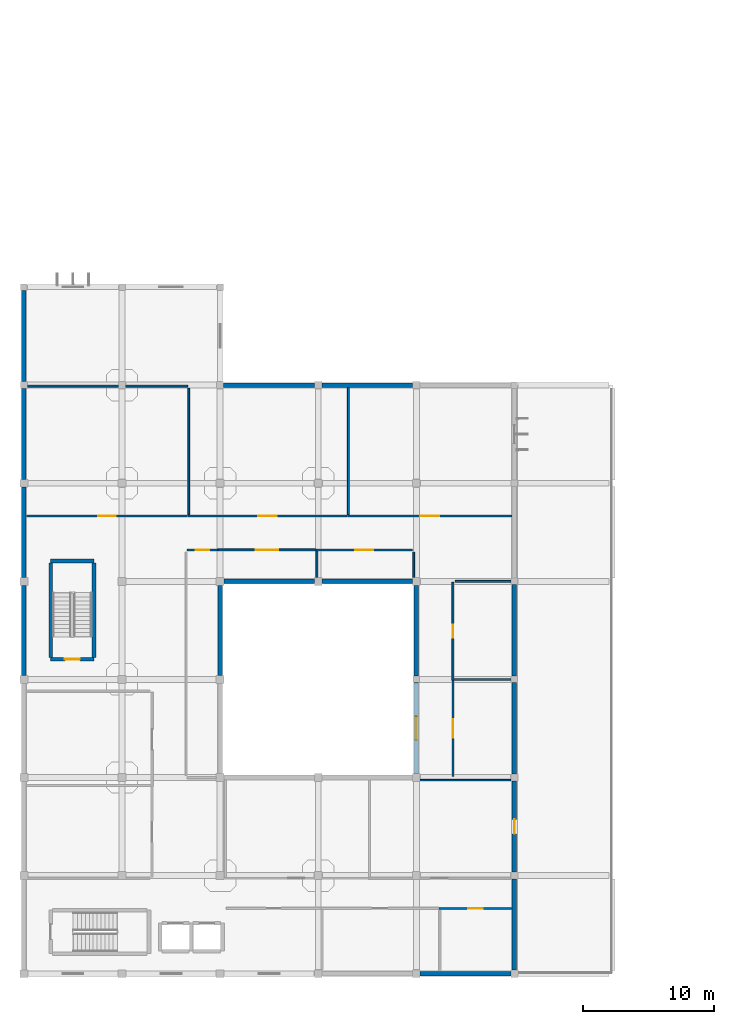
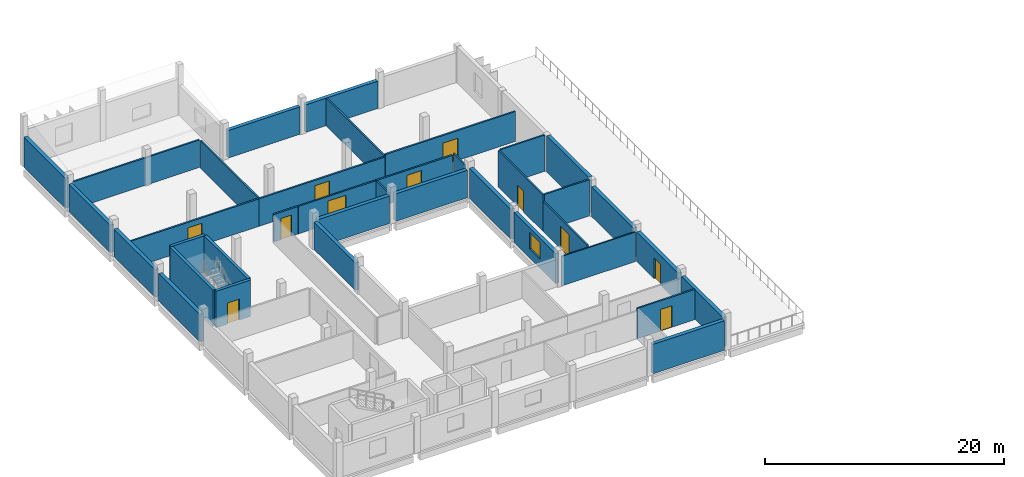
# One storey, part 6 of 21: 37 walls, 11 doors, 1 window, 12 openings.
"""IFC4 building model written with IfcOpenShell, lengths in metres."""

import ifcopenshell
import ifcopenshell.guid

model = None  # the IFC model being written
_history = None  # IfcOwnerHistory: only IFC2X3 demands one
_inside = {}  # id of a spatial element -> (the spatial element, [elements in it])
_under = {}  # id of a project, library or spatial element -> (it, [spatial elements below it])
_declared = {}  # id of a project -> (the project, [libraries it declares])
_typed = {}  # id of a type object -> (the type object, [elements of that type])
_made_of = {}  # id of a material, layer set ... -> (it, [elements and type objects made of it])


def new_model(schema):
    """Start an empty IFC model of exactly this schema.

    Asked for "IFC4X3", IfcOpenShell would pick the latest addendum, in which some entities
    have other attributes; the version numbers below select the first issue.
    IFC2X3 requires an IfcOwnerHistory on every rooted entity: one is made here for all.
    """
    global model, _history
    if schema == "IFC4X3":
        model = ifcopenshell.file(schema_version=(4, 3, 0, 0))
    else:
        model = ifcopenshell.file(schema=schema)
    _inside.clear()
    _under.clear()
    _declared.clear()
    _typed.clear()
    _made_of.clear()
    _history = None
    if model.schema == "IFC2X3":
        org = make("IfcOrganization", Name="unknown")
        user = make(
            "IfcPersonAndOrganization",
            ThePerson=make("IfcPerson", FamilyName="unknown"),
            TheOrganization=org,
        )
        app = make(
            "IfcApplication",
            ApplicationDeveloper=org,
            Version="unknown",
            ApplicationFullName="unknown",
            ApplicationIdentifier="unknown",
        )
        _history = make(
            "IfcOwnerHistory",
            OwningUser=user,
            OwningApplication=app,
            ChangeAction="ADDED",
            CreationDate=0,
        )
    return model


def make(cls, **values):
    """One entity of the class cls with the attributes given. An attribute that is None is left unset."""
    return model.create_entity(
        cls, **{name: value for name, value in values.items() if value is not None}
    )


def rooted(cls, **values):
    """An entity with a GlobalId (a new one), such as an element, a storey or a relation."""
    return make(cls, GlobalId=ifcopenshell.guid.new(), OwnerHistory=_history, **values)


def si_unit(unit_type, name, prefix=None):
    """IfcSIUnit, for example si_unit("LENGTHUNIT", "METRE", prefix="MILLI")."""
    return make("IfcSIUnit", UnitType=unit_type, Prefix=prefix, Name=name)


def assignment(units):
    """IfcUnitAssignment: the units of a project."""
    return None if units is None else make("IfcUnitAssignment", Units=units)


def point(xyz):
    """IfcCartesianPoint."""
    return None if xyz is None else make("IfcCartesianPoint", Coordinates=xyz)


def direction(xyz):
    """IfcDirection."""
    return None if xyz is None else make("IfcDirection", DirectionRatios=xyz)


def frame(location, z_axis=None, x_axis=None):
    """IfcAxis2Placement3D, a coordinate frame: its origin and axes. An axis left out is left unset."""
    return make(
        "IfcAxis2Placement3D",
        Location=point(location),
        Axis=direction(z_axis),
        RefDirection=direction(x_axis),
    )


def frame_2d(location, x_axis=None):
    """IfcAxis2Placement2D, a coordinate frame in the plane: its origin and x axis."""
    return make(
        "IfcAxis2Placement2D", Location=point(location), RefDirection=direction(x_axis)
    )


def origin():
    """The frame at (0, 0, 0) with its axes left unset."""
    return frame((0.0, 0.0, 0.0))


def place(relative_to, where):
    """IfcLocalPlacement: puts the frame where relative to a parent placement (None: the world)."""
    return make(
        "IfcLocalPlacement", PlacementRelTo=relative_to, RelativePlacement=where
    )


def context(
    kind, dimensions, precision=None, world=None, true_north=None, identifier=None
):
    """IfcGeometricRepresentationContext, for example the 3D "Model" context."""
    return make(
        "IfcGeometricRepresentationContext",
        ContextIdentifier=identifier,
        ContextType=kind,
        CoordinateSpaceDimension=dimensions,
        Precision=precision,
        WorldCoordinateSystem=world,
        TrueNorth=true_north,
    )


def subcontext(parent, identifier, kind, view, scale=None):
    """IfcGeometricRepresentationSubContext, for example "Body" below "Model"."""
    return make(
        "IfcGeometricRepresentationSubContext",
        ContextIdentifier=identifier,
        ContextType=kind,
        ParentContext=parent,
        TargetScale=scale,
        TargetView=view,
    )


def project(units=None, contexts=None):
    """IfcProject with its units and contexts."""
    return rooted(
        "IfcProject",
        Name="project",
        RepresentationContexts=contexts,
        UnitsInContext=assignment(units),
    )


def spatial(cls, under=None, at=None, **own):
    """A site, building, storey or space (cls), placed at a placement, below another one or the project."""
    s = rooted(cls, ObjectPlacement=at, **own)
    if under is not None:
        _under.setdefault(under.id(), (under, []))[1].append(s)
    return s


def profile(cls, at=None, kind="AREA", **sizes):
    """A parametric profile (cls). Its sizes go by their IFC names, for example OverallWidth=200.0."""
    return make(cls, ProfileType=kind, Position=at, **sizes)


def rectangle(**sizes):
    """IfcRectangleProfileDef."""
    return profile("IfcRectangleProfileDef", **sizes)


def extrude(swept, where, along, depth):
    """IfcExtrudedAreaSolid: the profile swept, set in the frame where, extruded along a direction by depth."""
    return make(
        "IfcExtrudedAreaSolid",
        SweptArea=swept,
        Position=where,
        ExtrudedDirection=direction(along),
        Depth=depth,
    )


def shape(context_of_items, identifier, shape_type, items):
    """IfcShapeRepresentation: the items that make up one representation, for example the "Body"."""
    return make(
        "IfcShapeRepresentation",
        ContextOfItems=context_of_items,
        RepresentationIdentifier=identifier,
        RepresentationType=shape_type,
        Items=items,
    )


def material(Name=None, Category=None):
    """IfcMaterial."""
    return make("IfcMaterial", Name=Name, Category=Category)


def layer(
    of_material, thickness, ventilated=None, Name=None, Category=None, Priority=None
):
    """IfcMaterialLayer: one layer of a wall or slab, of a material (None: an air gap)."""
    return make(
        "IfcMaterialLayer",
        Material=of_material,
        LayerThickness=thickness,
        IsVentilated=ventilated,
        Name=Name,
        Category=Category,
        Priority=Priority,
    )


def layer_set(layers, Name=None):
    """IfcMaterialLayerSet."""
    return make("IfcMaterialLayerSet", MaterialLayers=layers, LayerSetName=Name)


def made_of(thing, what):
    """Note that an element or type object is made of a material, layer set ...; save() writes the relation."""
    if what is not None:
        _made_of.setdefault(what.id(), (what, []))[1].append(thing)
    return thing


def type_object(cls, material=None, **own):
    """A type object (cls), such as IfcWallType, which elements share."""
    return made_of(rooted(cls, **own), material)


def element(
    cls,
    number,
    at=None,
    inside=None,
    cuts=None,
    type_object=None,
    material=None,
    context=None,
    identifier="Body",
    shape_type=None,
    held_by="IfcProductDefinitionShape",
    body=None,
    shapes=None,
    **own,
):
    """One element of the class cls, such as IfcWall. Its Tag is "e" and its number.

    at: its placement. inside: the storey or other place that contains it. cuts: it is an
    opening in that element (IfcRelVoidsElement). A single representation is given by context,
    identifier, shape_type and body (its items); several are given by shapes. held_by: the class
    of the entity that holds the representations. save() writes the other relations.
    """
    e = rooted(cls, Tag="e%d" % number, ObjectPlacement=at, **own)
    if body is not None:
        shapes = [shape(context, identifier, shape_type, body)]
    if shapes is not None:
        e.Representation = make(held_by, Representations=shapes)
    if inside is not None:
        _inside.setdefault(inside.id(), (inside, []))[1].append(e)
    if cuts is not None:
        rooted(
            "IfcRelVoidsElement", RelatingBuildingElement=cuts, RelatedOpeningElement=e
        )
    if type_object is not None:
        _typed.setdefault(type_object.id(), (type_object, []))[1].append(e)
    return made_of(e, material)


def fill(opening, filler):
    """IfcRelFillsElement: the door or window that sits in an opening."""
    return rooted(
        "IfcRelFillsElement",
        RelatingOpeningElement=opening,
        RelatedBuildingElement=filler,
    )


def aggregate(whole, parts):
    """IfcRelAggregates: a whole, such as a stair, and the parts it consists of."""
    return rooted("IfcRelAggregates", RelatingObject=whole, RelatedObjects=parts)


def save(model, path):
    """Write the relations noted so far, then the file.

    IfcRelAggregates (storeys below a building ...), IfcRelContainedInSpatialStructure (elements
    in a storey), IfcRelDefinesByType, IfcRelAssociatesMaterial and IfcRelDeclares: one each for
    every whole, place, type object, material and project.
    """
    for whole, parts in _under.values():
        aggregate(whole, parts)
    for where, things in _inside.values():
        rooted(
            "IfcRelContainedInSpatialStructure",
            RelatedElements=things,
            RelatingStructure=where,
        )
    for kind, things in _typed.values():
        rooted("IfcRelDefinesByType", RelatedObjects=things, RelatingType=kind)
    for what, things in _made_of.values():
        rooted("IfcRelAssociatesMaterial", RelatedObjects=things, RelatingMaterial=what)
    for by, libraries in _declared.values():
        rooted("IfcRelDeclares", RelatingContext=by, RelatedDefinitions=libraries)
    model.write(path)


model = new_model("IFC4")

# Units and contexts
model_context = context("Model", 3, precision=1e-05, world=origin(), true_north=direction((0.0, 1.0)))
body_context = subcontext(model_context, "Body", "Model", "MODEL_VIEW")
ifc_project = project(units=[si_unit("LENGTHUNIT", "METRE"), si_unit("AREAUNIT", "SQUARE_METRE"), si_unit("VOLUMEUNIT", "CUBIC_METRE"), si_unit("PLANEANGLEUNIT", "RADIAN"), si_unit("MASSUNIT", "GRAM", prefix="KILO")], contexts=[model_context])

# Site, building, storey
site_placement = place(None, origin())
site = spatial("IfcSite", under=ifc_project, at=site_placement, CompositionType="ELEMENT")
building_placement = place(site_placement, origin())
building = spatial("IfcBuilding", under=site, at=building_placement, Name="Mawjan Specialist Oncology Clinic", CompositionType="ELEMENT")
storey_placement = place(building_placement, frame((0.0, 0.0, 13.5)))
storey = spatial("IfcBuildingStorey", under=building, at=storey_placement, Name="L03", CompositionType="ELEMENT", Elevation=13.5)

# Walls
ifc_material_1 = material(Name="Precast concrete C40/50", Category="concrete")
ifc_layer_1 = layer(ifc_material_1, 0.35009765625, Name="Precast concrete C40/50", Category="concrete")
ifc_layer_set_1 = layer_set([ifc_layer_1], Name="Precast concrete C40/50")
wall_type_1 = type_object("IfcWallType", Name="EW-350", PredefinedType="SOLIDWALL", material=ifc_layer_set_1)
for number, where, z_axis, x_axis, name in (
    (1, (15.27490234375, 45.800048828125, 0.0), (0.0, 0.0, 1.0), (1.0, 0.0, 0.0), "L03 Coral-Limestone Exterior Wall EW-L03-270"),
    (2, (22.77490234375, 45.800048828125, 0.0), (0.0, 0.0, 1.0), (1.0, 0.0, 0.0), "L03 Coral-Limestone Exterior Wall EW-L03-271"),
):
    element("IfcWall", number, at=place(storey_placement, frame(where, z_axis=z_axis, x_axis=x_axis)), inside=storey, type_object=wall_type_1, Name=name, PredefinedType="SOLIDWALL", context=body_context, shape_type="SweptSolid", body=[
        extrude(rectangle(XDim=6.9501953125, YDim=0.35009765625, at=frame_2d((3.47509765625, 0.0))), origin(), (0.0, 0.0, 1.0), 2.804931640625),
    ])
wall_1_placement = place(storey_placement, frame((37.5, 30.550048828125, 0.0), z_axis=(0.0, 0.0, 1.0), x_axis=(0.0, -1.0, 0.0)))
element("IfcWall", 3, at=wall_1_placement, inside=storey, type_object=wall_type_1, Name="L03 Coral-Limestone Exterior Wall EW-L03-275", PredefinedType="SOLIDWALL", context=body_context, shape_type="SweptSolid", body=[
    extrude(rectangle(XDim=7.0, YDim=0.35009765625, at=frame_2d((3.5, 0.0))), origin(), (0.0, 0.0, 1.0), 3.699951171875),
])
wall_2_placement = place(storey_placement, frame((37.5, 23.050048828125, 0.0), z_axis=(0.0, 0.0, 1.0), x_axis=(0.0, -1.0, 0.0)))
element("IfcWall", 4, at=wall_2_placement, inside=storey, type_object=wall_type_1, Name="L03 Coral-Limestone Exterior Wall EW-L03-276", PredefinedType="SOLIDWALL", context=body_context, shape_type="SweptSolid", body=[
    extrude(rectangle(XDim=6.97509765625, YDim=0.35009765625, at=frame_2d((3.487548828125, 0.0))), origin(), (0.0, 0.0, 1.0), 3.054931640625),
])

# Wall, opening, door
wall_3_placement = place(storey_placement, frame((37.5, 15.52490234375, 0.0), z_axis=(0.0, 0.0, 1.0), x_axis=(0.0, -1.0, 0.0)))
wall_3 = element("IfcWall", 5, at=wall_3_placement, inside=storey, type_object=wall_type_1, Name="L03 Coral-Limestone Exterior Wall EW-L03-277", PredefinedType="SOLIDWALL", context=body_context, shape_type="SweptSolid", body=[
    extrude(rectangle(XDim=6.949951171875, YDim=0.35009765625, at=frame_2d((3.47509765625, 0.0))), origin(), (0.0, 0.0, 1.0), 3.0048828125),
])
opening_1_placement = place(wall_3_placement, frame((2.925048828125, 0.0, 0.0)))
opening_1 = element("IfcOpeningElement", 6, at=opening_1_placement, cuts=wall_3, Name="Opening DT-110", PredefinedType="OPENING", context=body_context, shape_type="SweptSolid", body=[
    extrude(rectangle(XDim=1.10009765625, YDim=2.14990234375, at=frame_2d((0.550048828125, 1.074951171875))), frame((0.0, 0.18701171875, 0.0), z_axis=(0.0, -1.0, 0.0), x_axis=(1.0, 0.0, 0.0)), (0.0, 0.0, 1.0), 0.3740234375),
])
ifc_material_2 = material(Name="Insulated marine-grade aluminium entrance assembly", Category="aluminium")
door_type_1 = type_object("IfcDoorType", Name="DT-110", OperationType="NOTDEFINED", PredefinedType="DOOR", material=ifc_material_2)
door_1_placement = place(opening_1_placement, origin())
door_1 = element("IfcDoor", 7, at=door_1_placement, inside=storey, type_object=door_type_1, Name="L03 Healing Terrace Access Door 3", OperationType="SINGLE_SWING_RIGHT", OverallHeight=2.14990234375, OverallWidth=1.10009765625, PredefinedType="DOOR", context=body_context, shape_type="SweptSolid", body=[
    extrude(rectangle(XDim=1.10009765625, YDim=2.14990234375, at=frame_2d((0.550048828125, 1.074951171875))), frame((0.0, 0.02490234375, 0.0), z_axis=(0.0, -1.0, 0.0), x_axis=(1.0, 0.0, 0.0)), (0.0, 0.0, 1.0), 0.050048828125),
])
fill(opening_1, door_1)

# Walls
wall_4_placement = place(storey_placement, frame((37.5, 8.02490234375, 0.0), z_axis=(0.0, 0.0, 1.0), x_axis=(0.0, -1.0, 0.0)))
element("IfcWall", 8, at=wall_4_placement, inside=storey, type_object=wall_type_1, Name="L03 Coral-Limestone Exterior Wall EW-L03-278", PredefinedType="SOLIDWALL", context=body_context, shape_type="SweptSolid", body=[
    extrude(rectangle(XDim=6.949951171875, YDim=0.35009765625, at=frame_2d((3.47509765625, 0.0))), origin(), (0.0, 0.0, 1.0), 3.0048828125),
])
wall_5_placement = place(storey_placement, frame((37.22509765625, 0.800048828125, 0.0), z_axis=(0.0, 0.0, 1.0), x_axis=(-1.0, 0.0, 0.0)))
element("IfcWall", 9, at=wall_5_placement, inside=storey, type_object=wall_type_1, Name="L03 Coral-Limestone Exterior Wall EW-L03-279", PredefinedType="SOLIDWALL", context=body_context, shape_type="SweptSolid", body=[
    extrude(rectangle(XDim=6.925048828125, YDim=0.35009765625, at=frame_2d((3.46240234375, 0.0))), origin(), (0.0, 0.0, 1.0), 3.0048828125),
])
for number, where, z_axis, x_axis, name in (
    (10, (0.0, 23.60009765625, 0.0), (0.0, 0.0, 1.0), (0.0, 1.0, 0.0), "L03 Coral-Limestone Exterior Wall EW-L03-287"),
    (11, (0.0, 31.10009765625, 0.0), (0.0, 0.0, 1.0), (0.0, 1.0, 0.0), "L03 Coral-Limestone Exterior Wall EW-L03-288"),
):
    element("IfcWall", number, at=place(storey_placement, frame(where, z_axis=z_axis, x_axis=x_axis)), inside=storey, type_object=wall_type_1, Name=name, PredefinedType="SOLIDWALL", context=body_context, shape_type="SweptSolid", body=[
        extrude(rectangle(XDim=6.89990234375, YDim=0.35009765625, at=frame_2d((3.449951171875, 0.0))), origin(), (0.0, 0.0, 1.0), 2.804931640625),
    ])
wall_6_placement = place(storey_placement, frame((0.0, 38.60009765625, 0.0), z_axis=(0.0, 0.0, 1.0), x_axis=(0.0, 1.0, 0.0)))
element("IfcWall", 12, at=wall_6_placement, inside=storey, type_object=wall_type_1, Name="L03 Coral-Limestone Exterior Wall EW-L03-289", PredefinedType="SOLIDWALL", context=body_context, shape_type="SweptSolid", body=[
    extrude(rectangle(XDim=6.9248046875, YDim=0.35009765625, at=frame_2d((3.46240234375, 0.0))), origin(), (0.0, 0.0, 1.0), 2.804931640625),
])
wall_7_placement = place(storey_placement, frame((0.0, 46.074951171875, 0.0), z_axis=(0.0, 0.0, 1.0), x_axis=(0.0, 1.0, 0.0)))
element("IfcWall", 13, at=wall_7_placement, inside=storey, type_object=wall_type_1, Name="L03 Coral-Limestone Exterior Wall EW-L03-290", PredefinedType="SOLIDWALL", context=body_context, shape_type="SweptSolid", body=[
    extrude(rectangle(XDim=6.97509765625, YDim=0.35009765625, at=frame_2d((3.487548828125, 0.0))), origin(), (0.0, 0.0, 1.0), 3.054931640625),
])

# Wall, opening, window
wall_8_placement = place(storey_placement, frame((30.0, 16.10009765625, 0.0), z_axis=(0.0, 0.0, 1.0), x_axis=(0.0, 1.0, 0.0)))
wall_8 = element("IfcWall", 14, at=wall_8_placement, inside=storey, type_object=wall_type_1, Name="L03 Coral-Limestone Exterior Wall EW-L03-296", PredefinedType="SOLIDWALL", context=body_context, shape_type="SweptSolid", body=[
    extrude(rectangle(XDim=6.949951171875, YDim=0.35009765625, at=frame_2d((3.47509765625, 0.0))), origin(), (0.0, 0.0, 1.0), 3.054931640625),
])
opening_2_placement = place(wall_8_placement, frame((2.574951171875, 0.0, 0.89990234375)))
opening_2 = element("IfcOpeningElement", 15, at=opening_2_placement, cuts=wall_8, Name="Opening WN-23", PredefinedType="OPENING", context=body_context, shape_type="SweptSolid", body=[
    extrude(rectangle(XDim=1.800048828125, YDim=1.699951171875, at=frame_2d((0.89990234375, 0.85009765625))), frame((0.0, 0.18701171875, 0.0), z_axis=(0.0, -1.0, 0.0), x_axis=(1.0, 0.0, 0.0)), (0.0, 0.0, 1.0), 0.3740234375),
])
ifc_material_3 = material(Name="Thermally broken low-E clinical aluminium window", Category="aluminium")
window_type = type_object("IfcWindowType", Name="WN-23", PartitioningType="DOUBLE_PANEL_VERTICAL", PredefinedType="WINDOW", material=ifc_material_3)
window_placement = place(opening_2_placement, origin())
window = element("IfcWindow", 16, at=window_placement, inside=storey, type_object=window_type, Name="L03 Clinical Low-E Window 059", OverallHeight=1.699951171875, OverallWidth=1.800048828125, PartitioningType="DOUBLE_PANEL_VERTICAL", PredefinedType="WINDOW", context=body_context, shape_type="SweptSolid", body=[
    extrude(rectangle(XDim=1.800048828125, YDim=1.699951171875, at=frame_2d((0.89990234375, 0.85009765625))), frame((0.0, 0.030029296875, 0.0), z_axis=(0.0, -1.0, 0.0), x_axis=(1.0, 0.0, 0.0)), (0.0, 0.0, 1.0), 0.06005859375),
])
fill(opening_2, window)

# Walls
wall_9_placement = place(storey_placement, frame((30.0, 23.550048828125, 0.0), z_axis=(0.0, 0.0, 1.0), x_axis=(0.0, 1.0, 0.0)))
element("IfcWall", 17, at=wall_9_placement, inside=storey, type_object=wall_type_1, Name="L03 Coral-Limestone Exterior Wall EW-L03-297", PredefinedType="SOLIDWALL", context=body_context, shape_type="SweptSolid", body=[
    extrude(rectangle(XDim=6.949951171875, YDim=0.35009765625, at=frame_2d((3.47509765625, 0.0))), origin(), (0.0, 0.0, 1.0), 3.054931640625),
])
for number, where, z_axis, x_axis, name in (
    (18, (29.699951171875, 30.800048828125, 0.0), (0.0, 0.0, 1.0), (-1.0, 0.0, 0.0), "L03 Coral-Limestone Exterior Wall EW-L03-298"),
    (19, (22.199951171875, 30.800048828125, 0.0), (0.0, 0.0, 1.0), (-1.0, 0.0, 0.0), "L03 Coral-Limestone Exterior Wall EW-L03-299"),
    (20, (15.0, 30.5, 0.0), (0.0, 0.0, 1.0), (0.0, -1.0, 0.0), "L03 Coral-Limestone Exterior Wall EW-L03-300"),
):
    element("IfcWall", number, at=place(storey_placement, frame(where, z_axis=z_axis, x_axis=x_axis)), inside=storey, type_object=wall_type_1, Name=name, PredefinedType="SOLIDWALL", context=body_context, shape_type="SweptSolid", body=[
        extrude(rectangle(XDim=6.89990234375, YDim=0.35009765625, at=frame_2d((3.449951171875, 0.0))), origin(), (0.0, 0.0, 1.0), 2.804931640625),
    ])
ifc_material_4 = material(Name="Concrete C45/55", Category="concrete")
ifc_layer_2 = layer(ifc_material_4, 0.280029296875, Name="Concrete C45/55", Category="concrete")
ifc_layer_set_2 = layer_set([ifc_layer_2], Name="Concrete C45/55")
wall_type_2 = type_object("IfcWallType", Name="SW-300", PredefinedType="SHEAR", material=ifc_layer_set_2)
wall_10_placement = place(storey_placement, frame((5.360107421875, 24.985107421875, 0.0), z_axis=(0.0, 0.0, 1.0), x_axis=(0.0, 1.0, 0.0)))
element("IfcWall", 21, at=wall_10_placement, inside=storey, type_object=wall_type_2, Name="L03 Core K2 Stair Shear Wall 1", PredefinedType="SHEAR", context=body_context, shape_type="SweptSolid", body=[
    extrude(rectangle(XDim=7.22998046875, YDim=0.280029296875, at=frame_2d((3.614990234375, 0.0))), origin(), (0.0, 0.0, 1.0), 3.719970703125),
])
wall_11_placement = place(storey_placement, frame((5.360107421875, 32.360107421875, 0.0), z_axis=(0.0, 0.0, 1.0), x_axis=(-1.0, 0.0, 0.0)))
element("IfcWall", 22, at=wall_11_placement, inside=storey, type_object=wall_type_2, Name="L03 Core K2 Stair Shear Wall 2", PredefinedType="SHEAR", context=body_context, shape_type="SweptSolid", body=[
    extrude(rectangle(XDim=3.320068359375, YDim=0.280029296875, at=frame_2d((1.66015625, 0.0))), origin(), (0.0, 0.0, 1.0), 3.719970703125),
])
wall_12_placement = place(storey_placement, frame((2.0400390625, 32.215087890625, 0.0), z_axis=(0.0, 0.0, 1.0), x_axis=(0.0, -1.0, 0.0)))
element("IfcWall", 23, at=wall_12_placement, inside=storey, type_object=wall_type_2, Name="L03 Core K2 Stair Shear Wall 3", PredefinedType="SHEAR", context=body_context, shape_type="SweptSolid", body=[
    extrude(rectangle(XDim=7.22998046875, YDim=0.280029296875, at=frame_2d((3.614990234375, 0.0))), origin(), (0.0, 0.0, 1.0), 3.719970703125),
])

# Wall, opening, door
wall_13_placement = place(storey_placement, frame((2.0400390625, 24.840087890625, 0.0), z_axis=(0.0, 0.0, 1.0), x_axis=(1.0, 0.0, 0.0)))
wall_13 = element("IfcWall", 24, at=wall_13_placement, inside=storey, type_object=wall_type_2, Name="L03 Core K2 Stair Shear Wall 4", PredefinedType="SHEAR", context=body_context, shape_type="SweptSolid", body=[
    extrude(rectangle(XDim=3.320068359375, YDim=0.280029296875, at=frame_2d((1.66015625, 0.0))), origin(), (0.0, 0.0, 1.0), 3.719970703125),
])
opening_3_placement = place(wall_13_placement, frame((1.0849609375, 0.0, 0.0)))
opening_3 = element("IfcOpeningElement", 25, at=opening_3_placement, cuts=wall_13, Name="Opening FD-90", PredefinedType="OPENING", context=body_context, shape_type="SweptSolid", body=[
    extrude(rectangle(XDim=1.14990234375, YDim=2.14990234375, at=frame_2d((0.574951171875, 1.074951171875))), frame((0.0, 0.152099609375, 0.0), z_axis=(0.0, -1.0, 0.0), x_axis=(1.0, 0.0, 0.0)), (0.0, 0.0, 1.0), 0.303955078125),
])
ifc_material_5 = material(Name="Stainless-steel fire-rated hospital door", Category="steel")
door_type_2 = type_object("IfcDoorType", Name="FD-90", OperationType="NOTDEFINED", PredefinedType="DOOR", material=ifc_material_5)
door_2_placement = place(opening_3_placement, origin())
door_2 = element("IfcDoor", 26, at=door_2_placement, inside=storey, type_object=door_type_2, Name="L03 ST-02 Fire Exit Stair Door", OperationType="SINGLE_SWING_RIGHT", OverallHeight=2.14990234375, OverallWidth=1.14990234375, PredefinedType="DOOR", context=body_context, shape_type="SweptSolid", body=[
    extrude(rectangle(XDim=1.14990234375, YDim=2.14990234375, at=frame_2d((0.574951171875, 1.074951171875))), frame((0.0, 0.02490234375, 0.0), z_axis=(0.0, -1.0, 0.0), x_axis=(1.0, 0.0, 0.0)), (0.0, 0.0, 1.0), 0.050048828125),
])
fill(opening_3, door_2)

# Walls
ifc_material_6 = material(Name="Moisture-resistant washroom partition", Category="gypsum")
ifc_layer_3 = layer(ifc_material_6, 0.125, Name="Moisture-resistant washroom partition", Category="gypsum")
ifc_layer_set_3 = layer_set([ifc_layer_3], Name="Moisture-resistant washroom partition")
wall_type_3 = type_object("IfcWallType", Name="WP-125", PredefinedType="PARTITIONING", material=ifc_layer_set_3)
wall_14_placement = place(storey_placement, frame((30.08447265625, 15.60009765625, 0.0), z_axis=(0.0, 0.0, 1.0), x_axis=(1.0, 0.0, 0.0)))
element("IfcWall", 27, at=wall_14_placement, inside=storey, type_object=wall_type_3, Name="L03 Interior Partition W-INT-L03-0322-R", PredefinedType="PARTITIONING", context=body_context, shape_type="SweptSolid", body=[
    extrude(rectangle(XDim=7.12841796875, YDim=0.125, at=frame_2d((3.564208984375, 0.0))), origin(), (0.0, 0.0, 1.0), 3.0048828125),
])
wall_15_placement = place(storey_placement, frame((29.800048828125, 31.112060546875, 0.0), z_axis=(0.0, 0.0, 1.0), x_axis=(0.0, 1.0, 0.0)))
element("IfcWall", 28, at=wall_15_placement, inside=storey, type_object=wall_type_3, Name="L03 Interior Partition W-INT-L03-0343-D", PredefinedType="PARTITIONING", context=body_context, shape_type="SweptSolid", body=[
    extrude(rectangle(XDim=1.9228515625, YDim=0.125, at=frame_2d((0.96142578125, 0.0))), origin(), (0.0, 0.0, 1.0), 3.054931640625),
])

# Wall, opening, door
ifc_material_7 = material(Name="Acoustic gypsum clinical partition", Category="gypsum")
ifc_layer_4 = layer(ifc_material_7, 0.14990234375, Name="Acoustic gypsum clinical partition", Category="gypsum")
ifc_layer_set_4 = layer_set([ifc_layer_4], Name="Acoustic gypsum clinical partition")
wall_type_4 = type_object("IfcWallType", Name="WP-150", PredefinedType="PARTITIONING", material=ifc_layer_set_4)
wall_16_placement = place(storey_placement, frame((14.826904296875, 33.199951171875, 0.0), z_axis=(0.0, 0.0, 1.0), x_axis=(1.0, 0.0, 0.0)))
wall_16 = element("IfcWall", 29, at=wall_16_placement, inside=storey, type_object=wall_type_4, Name="L03 Interior Partition W-INT-L03-0342-C", PredefinedType="PARTITIONING", context=body_context, shape_type="SweptSolid", body=[
    extrude(rectangle(XDim=7.488037109375, YDim=0.14990234375, at=frame_2d((3.744140625, 0.0))), origin(), (0.0, 0.0, 1.0), 2.804931640625),
])
opening_4_placement = place(wall_16_placement, frame((2.884033203125, 0.0, 0.0)))
opening_4 = element("IfcOpeningElement", 30, at=opening_4_placement, cuts=wall_16, Name="Opening DC-172", PredefinedType="OPENING", context=body_context, shape_type="SweptSolid", body=[
    extrude(rectangle(XDim=1.719970703125, YDim=2.340087890625, at=frame_2d((0.85986328125, 1.169921875))), frame((0.0, 0.0869140625, 0.0), z_axis=(0.0, -1.0, 0.0), x_axis=(1.0, 0.0, 0.0)), (0.0, 0.0, 1.0), 0.173828125),
])
ifc_material_8 = material(Name="Acoustic laminate hospital door leaf", Category="wood")
door_type_3 = type_object("IfcDoorType", Name="DC-172", OperationType="NOTDEFINED", PredefinedType="DOOR", material=ifc_material_8)
door_3_placement = place(opening_4_placement, origin())
door_3 = element("IfcDoor", 31, at=door_3_placement, inside=storey, type_object=door_type_3, Name="L03 Oncology Biomarker Counseling Suite Door", OperationType="SINGLE_SWING_LEFT", OverallHeight=2.340087890625, OverallWidth=1.719970703125, PredefinedType="DOOR", context=body_context, shape_type="SweptSolid", body=[
    extrude(rectangle(XDim=1.719970703125, YDim=2.340087890625, at=frame_2d((0.85986328125, 1.169921875))), frame((0.0, 0.02490234375, 0.0), z_axis=(0.0, -1.0, 0.0), x_axis=(1.0, 0.0, 0.0)), (0.0, 0.0, 1.0), 0.050048828125),
])
fill(opening_4, door_3)

wall_17_placement = place(storey_placement, frame((32.800048828125, 15.885009765625, 0.0), z_axis=(0.0, 0.0, 1.0), x_axis=(0.0, 1.0, 0.0)))
wall_17 = element("IfcWall", 32, at=wall_17_placement, inside=storey, type_object=wall_type_4, Name="L03 Interior Partition W-INT-L03-307-V", PredefinedType="PARTITIONING", context=body_context, shape_type="SweptSolid", body=[
    extrude(rectangle(XDim=7.330078125, YDim=0.14990234375, at=frame_2d((3.6650390625, 0.0))), origin(), (0.0, 0.0, 1.0), 3.054931640625),
])
opening_5_placement = place(wall_17_placement, frame((2.945068359375, 0.0, 0.0)))
opening_5 = element("IfcOpeningElement", 33, at=opening_5_placement, cuts=wall_17, Name="Opening DM-CT", PredefinedType="OPENING", context=body_context, shape_type="SweptSolid", body=[
    extrude(rectangle(XDim=1.43994140625, YDim=2.320068359375, at=frame_2d((0.719970703125, 1.16015625))), frame((0.0, 0.0869140625, 0.0), z_axis=(0.0, -1.0, 0.0), x_axis=(1.0, 0.0, 0.0)), (0.0, 0.0, 1.0), 0.173828125),
])
ifc_material_9 = material(Name="Acoustic laminate hospital door leaf", Category="wood")
door_type_4 = type_object("IfcDoorType", Name="DM-CT", OperationType="NOTDEFINED", PredefinedType="DOOR", material=ifc_material_9)
door_4_placement = place(opening_5_placement, origin())
door_4 = element("IfcDoor", 34, at=door_4_placement, inside=storey, type_object=door_type_4, Name="L03 Palliative Support Consulting Room Door", OperationType="SINGLE_SWING_LEFT", OverallHeight=2.320068359375, OverallWidth=1.43994140625, PredefinedType="DOOR", context=body_context, shape_type="SweptSolid", body=[
    extrude(rectangle(XDim=1.43994140625, YDim=2.320068359375, at=frame_2d((0.719970703125, 1.16015625))), frame((0.0, 0.02490234375, 0.0), z_axis=(0.0, -1.0, 0.0), x_axis=(1.0, 0.0, 0.0)), (0.0, 0.0, 1.0), 0.050048828125),
])
fill(opening_5, door_4)

wall_18_placement = place(storey_placement, frame((32.800048828125, 23.22705078125, 0.0), z_axis=(0.0, 0.0, 1.0), x_axis=(0.0, 1.0, 0.0)))
wall_18 = element("IfcWall", 35, at=wall_18_placement, inside=storey, type_object=wall_type_4, Name="L03 Interior Partition W-INT-L03-308-V", PredefinedType="PARTITIONING", context=body_context, shape_type="SweptSolid", body=[
    extrude(rectangle(XDim=7.488037109375, YDim=0.14990234375, at=frame_2d((3.744140625, 0.0))), origin(), (0.0, 0.0, 1.0), 3.699951171875),
])
opening_6_placement = place(wall_18_placement, frame((3.243896484375, 0.0, 0.0)))
opening_6 = element("IfcOpeningElement", 36, at=opening_6_placement, cuts=wall_18, Name="Opening DI-100", PredefinedType="OPENING", context=body_context, shape_type="SweptSolid", body=[
    extrude(rectangle(XDim=1.0, YDim=2.14990234375, at=frame_2d((0.5, 1.074951171875))), frame((0.0, 0.0869140625, 0.0), z_axis=(0.0, -1.0, 0.0), x_axis=(1.0, 0.0, 0.0)), (0.0, 0.0, 1.0), 0.173828125),
])
ifc_material_10 = material(Name="Acoustic laminate hospital door leaf", Category="wood")
door_type_5 = type_object("IfcDoorType", Name="DI-100", OperationType="NOTDEFINED", PredefinedType="DOOR", material=ifc_material_10)
door_5_placement = place(opening_6_placement, origin())
door_5 = element("IfcDoor", 37, at=door_5_placement, inside=storey, type_object=door_type_5, Name="L03 Social Work Family Room Door", OperationType="SINGLE_SWING_RIGHT", OverallHeight=2.14990234375, OverallWidth=1.0, PredefinedType="DOOR", context=body_context, shape_type="SweptSolid", body=[
    extrude(rectangle(XDim=1.0, YDim=2.14990234375, at=frame_2d((0.5, 1.074951171875))), frame((0.0, 0.02490234375, 0.0), z_axis=(0.0, -1.0, 0.0), x_axis=(1.0, 0.0, 0.0)), (0.0, 0.0, 1.0), 0.050048828125),
])
fill(opening_6, door_5)

# Walls
wall_19_placement = place(storey_placement, frame((0.287109375, 45.719970703125, 0.0), z_axis=(0.0, 0.0, 1.0), x_axis=(1.0, 0.0, 0.0)))
element("IfcWall", 38, at=wall_19_placement, inside=storey, type_object=wall_type_4, Name="L03 Interior Partition W-INT-L03-304-R", PredefinedType="PARTITIONING", context=body_context, shape_type="SweptSolid", body=[
    extrude(rectangle(XDim=12.227783203125, YDim=0.14990234375, at=frame_2d((6.11376953125, 0.0))), origin(), (0.0, 0.0, 1.0), 2.804931640625),
])
wall_20_placement = place(storey_placement, frame((12.60009765625, 35.89208984375, 0.0), z_axis=(0.0, 0.0, 1.0), x_axis=(0.0, 1.0, 0.0)))
element("IfcWall", 39, at=wall_20_placement, inside=storey, type_object=wall_type_4, Name="L03 Interior Partition W-INT-L03-304-D", PredefinedType="PARTITIONING", context=body_context, shape_type="SweptSolid", body=[
    extrude(rectangle(XDim=9.662841796875, YDim=0.14990234375, at=frame_2d((4.83154296875, 0.0))), origin(), (0.0, 0.0, 1.0), 2.804931640625),
])
wall_21_placement = place(storey_placement, frame((24.800048828125, 35.89208984375, 0.0), z_axis=(0.0, 0.0, 1.0), x_axis=(0.0, 1.0, 0.0)))
element("IfcWall", 40, at=wall_21_placement, inside=storey, type_object=wall_type_4, Name="L03 Interior Partition W-INT-L03-305-D", PredefinedType="PARTITIONING", context=body_context, shape_type="SweptSolid", body=[
    extrude(rectangle(XDim=9.720947265625, YDim=0.14990234375, at=frame_2d((4.8603515625, 0.0))), origin(), (0.0, 0.0, 1.0), 2.804931640625),
])
wall_22_placement = place(storey_placement, frame((22.39990234375, 31.112060546875, 0.0), z_axis=(0.0, 0.0, 1.0), x_axis=(0.0, 1.0, 0.0)))
element("IfcWall", 41, at=wall_22_placement, inside=storey, type_object=wall_type_4, Name="L03 Interior Partition W-INT-L03-0342-D", PredefinedType="PARTITIONING", context=body_context, shape_type="SweptSolid", body=[
    extrude(rectangle(XDim=1.995849609375, YDim=0.14990234375, at=frame_2d((0.998046875, 0.0))), origin(), (0.0, 0.0, 1.0), 2.804931640625),
])
wall_23_placement = place(storey_placement, frame((32.965087890625, 30.800048828125, 0.0), z_axis=(0.0, 0.0, 1.0), x_axis=(1.0, 0.0, 0.0)))
element("IfcWall", 42, at=wall_23_placement, inside=storey, type_object=wall_type_4, Name="L03 Interior Partition W-INT-L03-308-H", PredefinedType="PARTITIONING", context=body_context, shape_type="SweptSolid", body=[
    extrude(rectangle(XDim=4.27294921875, YDim=0.14990234375, at=frame_2d((2.136474609375, 0.0))), origin(), (0.0, 0.0, 1.0), 3.699951171875),
])

# Wall, opening, door
ifc_material_11 = material(Name="Acoustic clinical twin-stud partition", Category="gypsum")
ifc_layer_5 = layer(ifc_material_11, 0.159912109375, Name="Acoustic clinical twin-stud partition", Category="gypsum")
ifc_layer_set_5 = layer_set([ifc_layer_5], Name="Acoustic clinical twin-stud partition")
wall_type_5 = type_object("IfcWallType", Name="WP-160", PredefinedType="PARTITIONING", material=ifc_layer_set_5)
wall_24_placement = place(storey_placement, frame((31.72705078125, 5.800048828125, 0.0), z_axis=(0.0, 0.0, 1.0), x_axis=(1.0, 0.0, 0.0)))
wall_24 = element("IfcWall", 43, at=wall_24_placement, inside=storey, type_object=wall_type_5, Name="L03 Interior Partition W-INT-L03-303-C", PredefinedType="PARTITIONING", context=body_context, shape_type="SweptSolid", body=[
    extrude(rectangle(XDim=5.5859375, YDim=0.159912109375, at=frame_2d((2.79296875, 0.0))), origin(), (0.0, 0.0, 1.0), 3.0849609375),
])
opening_7_placement = place(wall_24_placement, frame((2.23291015625, 0.0, 0.0)))
opening_7 = element("IfcOpeningElement", 44, at=opening_7_placement, cuts=wall_24, Name="Opening DI-112", PredefinedType="OPENING", context=body_context, shape_type="SweptSolid", body=[
    extrude(rectangle(XDim=1.1201171875, YDim=2.199951171875, at=frame_2d((0.56005859375, 1.10009765625))), frame((0.0, 0.092041015625, 0.0), z_axis=(0.0, -1.0, 0.0), x_axis=(1.0, 0.0, 0.0)), (0.0, 0.0, 1.0), 0.183837890625),
])
ifc_material_12 = material(Name="Acoustic laminate hospital door leaf", Category="wood")
door_type_6 = type_object("IfcDoorType", Name="DI-112", OperationType="NOTDEFINED", PredefinedType="DOOR", material=ifc_material_12)
door_6_placement = place(opening_7_placement, origin())
door_6 = element("IfcDoor", 45, at=door_6_placement, inside=storey, type_object=door_type_6, Name="L03 Accessible Patient Toilet Door", OperationType="SINGLE_SWING_LEFT", OverallHeight=2.199951171875, OverallWidth=1.1201171875, PredefinedType="DOOR", context=body_context, shape_type="SweptSolid", body=[
    extrude(rectangle(XDim=1.1201171875, YDim=2.199951171875, at=frame_2d((0.56005859375, 1.10009765625))), frame((0.0, 0.02490234375, 0.0), z_axis=(0.0, -1.0, 0.0), x_axis=(1.0, 0.0, 0.0)), (0.0, 0.0, 1.0), 0.050048828125),
])
fill(opening_7, door_6)

wall_25_placement = place(storey_placement, frame((0.18701171875, 35.800048828125, 0.0), z_axis=(0.0, 0.0, 1.0), x_axis=(1.0, 0.0, 0.0)))
wall_25 = element("IfcWall", 46, at=wall_25_placement, inside=storey, type_object=wall_type_5, Name="L03 Interior Partition W-INT-L03-304-C", PredefinedType="PARTITIONING", context=body_context, shape_type="SweptSolid", body=[
    extrude(rectangle(XDim=12.327880859375, YDim=0.159912109375, at=frame_2d((6.1640625, 0.0))), origin(), (0.0, 0.0, 1.0), 2.804931640625),
])
opening_8_placement = place(wall_25_placement, frame((5.493896484375, 0.0, 0.0)))
opening_8 = element("IfcOpeningElement", 47, at=opening_8_placement, cuts=wall_25, Name="Opening DC-134", PredefinedType="OPENING", context=body_context, shape_type="SweptSolid", body=[
    extrude(rectangle(XDim=1.340087890625, YDim=2.239990234375, at=frame_2d((0.669921875, 1.1201171875))), frame((0.0, 0.092041015625, 0.0), z_axis=(0.0, -1.0, 0.0), x_axis=(1.0, 0.0, 0.0)), (0.0, 0.0, 1.0), 0.183837890625),
])
ifc_material_13 = material(Name="Acoustic laminate hospital door leaf", Category="wood")
door_type_7 = type_object("IfcDoorType", Name="DC-134", OperationType="NOTDEFINED", PredefinedType="DOOR", material=ifc_material_13)
door_7_placement = place(opening_8_placement, origin())
door_7 = element("IfcDoor", 48, at=door_7_placement, inside=storey, type_object=door_type_7, Name="L03 Psycho-Oncology Counseling Suite Door", OperationType="SINGLE_SWING_LEFT", OverallHeight=2.239990234375, OverallWidth=1.340087890625, PredefinedType="DOOR", context=body_context, shape_type="SweptSolid", body=[
    extrude(rectangle(XDim=1.340087890625, YDim=2.239990234375, at=frame_2d((0.669921875, 1.1201171875))), frame((0.0, 0.02490234375, 0.0), z_axis=(0.0, -1.0, 0.0), x_axis=(1.0, 0.0, 0.0)), (0.0, 0.0, 1.0), 0.050048828125),
])
fill(opening_8, door_7)

wall_26_placement = place(storey_placement, frame((12.527099609375, 35.800048828125, 0.0), z_axis=(0.0, 0.0, 1.0), x_axis=(1.0, 0.0, 0.0)))
wall_26 = element("IfcWall", 49, at=wall_26_placement, inside=storey, type_object=wall_type_5, Name="L03 Interior Partition W-INT-L03-305-C", PredefinedType="PARTITIONING", context=body_context, shape_type="SweptSolid", body=[
    extrude(rectangle(XDim=12.18798828125, YDim=0.159912109375, at=frame_2d((6.093994140625, 0.0))), origin(), (0.0, 0.0, 1.0), 2.804931640625),
])
opening_9_placement = place(wall_26_placement, frame((5.39404296875, 0.0, 0.0)))
opening_9 = element("IfcOpeningElement", 50, at=opening_9_placement, cuts=wall_26, Name="Opening DC-140", PredefinedType="OPENING", context=body_context, shape_type="SweptSolid", body=[
    extrude(rectangle(XDim=1.39990234375, YDim=2.25, at=frame_2d((0.699951171875, 1.125))), frame((0.0, 0.092041015625, 0.0), z_axis=(0.0, -1.0, 0.0), x_axis=(1.0, 0.0, 0.0)), (0.0, 0.0, 1.0), 0.183837890625),
])
ifc_material_14 = material(Name="Acoustic laminate hospital door leaf", Category="wood")
door_type_8 = type_object("IfcDoorType", Name="DC-140", OperationType="NOTDEFINED", PredefinedType="DOOR", material=ifc_material_14)
door_8_placement = place(opening_9_placement, origin())
door_8 = element("IfcDoor", 51, at=door_8_placement, inside=storey, type_object=door_type_8, Name="L03 Clinical Nutrition Consulting Room Door", OperationType="SINGLE_SWING_RIGHT", OverallHeight=2.25, OverallWidth=1.39990234375, PredefinedType="DOOR", context=body_context, shape_type="SweptSolid", body=[
    extrude(rectangle(XDim=1.39990234375, YDim=2.25, at=frame_2d((0.699951171875, 1.125))), frame((0.0, 0.02490234375, 0.0), z_axis=(0.0, -1.0, 0.0), x_axis=(1.0, 0.0, 0.0)), (0.0, 0.0, 1.0), 0.050048828125),
])
fill(opening_9, door_8)

wall_27_placement = place(storey_placement, frame((24.72705078125, 35.800048828125, 0.0), z_axis=(0.0, 0.0, 1.0), x_axis=(1.0, 0.0, 0.0)))
wall_27 = element("IfcWall", 52, at=wall_27_placement, inside=storey, type_object=wall_type_5, Name="L03 Interior Partition W-INT-L03-306-C", PredefinedType="PARTITIONING", context=body_context, shape_type="SweptSolid", body=[
    extrude(rectangle(XDim=12.5859375, YDim=0.159912109375, at=frame_2d((6.29296875, 0.0))), origin(), (0.0, 0.0, 1.0), 3.054931640625),
])
opening_10_placement = place(wall_27_placement, frame((5.568115234375, 0.0, 0.0)))
opening_10 = element("IfcOpeningElement", 53, at=opening_10_placement, cuts=wall_27, Name="Opening DC-145", PredefinedType="OPENING", context=body_context, shape_type="SweptSolid", body=[
    extrude(rectangle(XDim=1.449951171875, YDim=2.260009765625, at=frame_2d((0.72509765625, 1.1298828125))), frame((0.0, 0.092041015625, 0.0), z_axis=(0.0, -1.0, 0.0), x_axis=(1.0, 0.0, 0.0)), (0.0, 0.0, 1.0), 0.183837890625),
])
ifc_material_15 = material(Name="Acoustic laminate hospital door leaf", Category="wood")
door_type_9 = type_object("IfcDoorType", Name="DC-145", OperationType="NOTDEFINED", PredefinedType="DOOR", material=ifc_material_15)
door_9_placement = place(opening_10_placement, origin())
door_9 = element("IfcDoor", 54, at=door_9_placement, inside=storey, type_object=door_type_9, Name="L03 Terrace Patient Lounge Door", OperationType="SINGLE_SWING_LEFT", OverallHeight=2.260009765625, OverallWidth=1.449951171875, PredefinedType="DOOR", context=body_context, shape_type="SweptSolid", body=[
    extrude(rectangle(XDim=1.449951171875, YDim=2.260009765625, at=frame_2d((0.72509765625, 1.1298828125))), frame((0.0, 0.02490234375, 0.0), z_axis=(0.0, -1.0, 0.0), x_axis=(1.0, 0.0, 0.0)), (0.0, 0.0, 1.0), 0.050048828125),
])
fill(opening_10, door_9)

wall_28_placement = place(storey_placement, frame((12.485107421875, 33.199951171875, 0.0), z_axis=(0.0, 0.0, 1.0), x_axis=(1.0, 0.0, 0.0)))
wall_28 = element("IfcWall", 55, at=wall_28_placement, inside=storey, type_object=wall_type_5, Name="L03 Interior Partition W-INT-L03-0341-C", PredefinedType="PARTITIONING", context=body_context, shape_type="SweptSolid", body=[
    extrude(rectangle(XDim=2.329833984375, YDim=0.159912109375, at=frame_2d((1.1650390625, 0.0))), origin(), (0.0, 0.0, 1.0), 2.804931640625),
])
opening_11_placement = place(wall_28_placement, frame((0.6650390625, 0.0, 0.0)))
opening_11 = element("IfcOpeningElement", 56, at=opening_11_placement, cuts=wall_28, Name="Opening DI-100", PredefinedType="OPENING", context=body_context, shape_type="SweptSolid", body=[
    extrude(rectangle(XDim=1.0, YDim=2.14990234375, at=frame_2d((0.5, 1.074951171875))), frame((0.0, 0.092041015625, 0.0), z_axis=(0.0, -1.0, 0.0), x_axis=(1.0, 0.0, 0.0)), (0.0, 0.0, 1.0), 0.183837890625),
])
door_10_placement = place(opening_11_placement, origin())
door_10 = element("IfcDoor", 57, at=door_10_placement, inside=storey, type_object=door_type_5, Name="L03 Clinical Case Conference Room Door", OperationType="SINGLE_SWING_LEFT", OverallHeight=2.14990234375, OverallWidth=1.0, PredefinedType="DOOR", context=body_context, shape_type="SweptSolid", body=[
    extrude(rectangle(XDim=1.0, YDim=2.14990234375, at=frame_2d((0.5, 1.074951171875))), frame((0.0, 0.02490234375, 0.0), z_axis=(0.0, -1.0, 0.0), x_axis=(1.0, 0.0, 0.0)), (0.0, 0.0, 1.0), 0.050048828125),
])
fill(opening_11, door_10)

wall_29_placement = place(storey_placement, frame((22.326904296875, 33.199951171875, 0.0), z_axis=(0.0, 0.0, 1.0), x_axis=(1.0, 0.0, 0.0)))
wall_29 = element("IfcWall", 58, at=wall_29_placement, inside=storey, type_object=wall_type_5, Name="L03 Interior Partition W-INT-L03-0343-C", PredefinedType="PARTITIONING", context=body_context, shape_type="SweptSolid", body=[
    extrude(rectangle(XDim=7.38818359375, YDim=0.159912109375, at=frame_2d((3.694091796875, 0.0))), origin(), (0.0, 0.0, 1.0), 2.804931640625),
])
opening_12_placement = place(wall_29_placement, frame((3.00390625, 0.0, 0.0)))
opening_12 = element("IfcOpeningElement", 59, at=opening_12_placement, cuts=wall_29, Name="Opening DM-MRI", PredefinedType="OPENING", context=body_context, shape_type="SweptSolid", body=[
    extrude(rectangle(XDim=1.3798828125, YDim=2.300048828125, at=frame_2d((0.68994140625, 1.14990234375))), frame((0.0, 0.092041015625, 0.0), z_axis=(0.0, -1.0, 0.0), x_axis=(1.0, 0.0, 0.0)), (0.0, 0.0, 1.0), 0.183837890625),
])
ifc_material_16 = material(Name="Acoustic laminate hospital door leaf", Category="wood")
door_type_10 = type_object("IfcDoorType", Name="DM-MRI", OperationType="NOTDEFINED", PredefinedType="DOOR", material=ifc_material_16)
door_11_placement = place(opening_12_placement, origin())
door_11 = element("IfcDoor", 60, at=door_11_placement, inside=storey, type_object=door_type_10, Name="L03 Patient Education Room Door", OperationType="SINGLE_SWING_RIGHT", OverallHeight=2.300048828125, OverallWidth=1.3798828125, PredefinedType="DOOR", context=body_context, shape_type="SweptSolid", body=[
    extrude(rectangle(XDim=1.3798828125, YDim=2.300048828125, at=frame_2d((0.68994140625, 1.14990234375))), frame((0.0, 0.02490234375, 0.0), z_axis=(0.0, -1.0, 0.0), x_axis=(1.0, 0.0, 0.0)), (0.0, 0.0, 1.0), 0.050048828125),
])
fill(opening_12, door_11)

# Wall
wall_30_placement = place(storey_placement, frame((32.886962890625, 23.300048828125, 0.0), z_axis=(0.0, 0.0, 1.0), x_axis=(1.0, 0.0, 0.0)))
element("IfcWall", 61, at=wall_30_placement, inside=storey, type_object=wall_type_5, Name="L03 Interior Partition W-INT-L03-307-H", PredefinedType="PARTITIONING", context=body_context, shape_type="SweptSolid", body=[
    extrude(rectangle(XDim=4.35107421875, YDim=0.159912109375, at=frame_2d((2.175537109375, 0.0))), origin(), (0.0, 0.0, 1.0), 3.699951171875),
])

save(model, "model.ifc")
